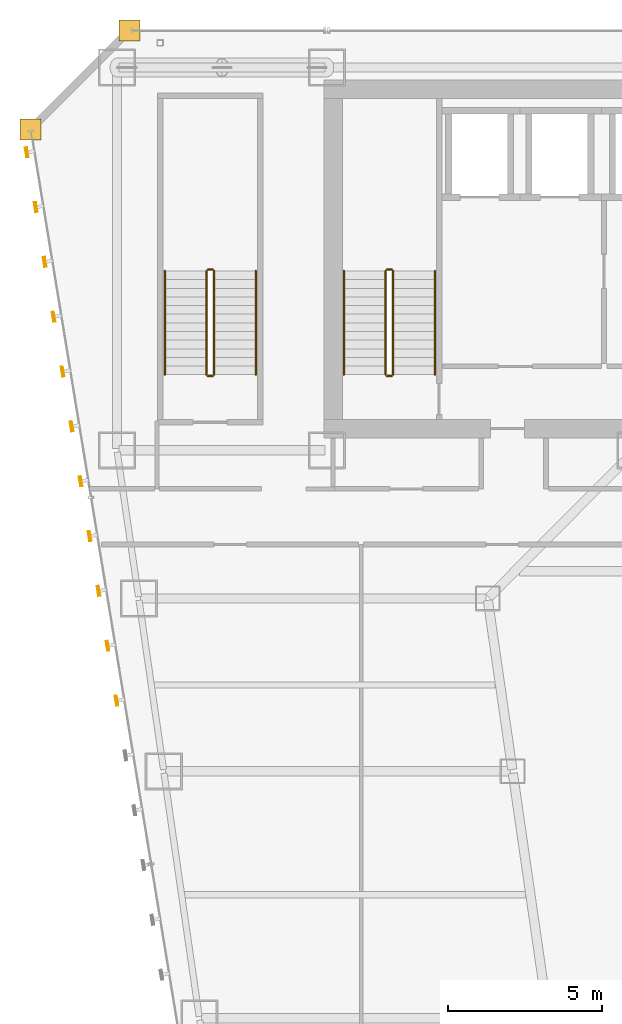
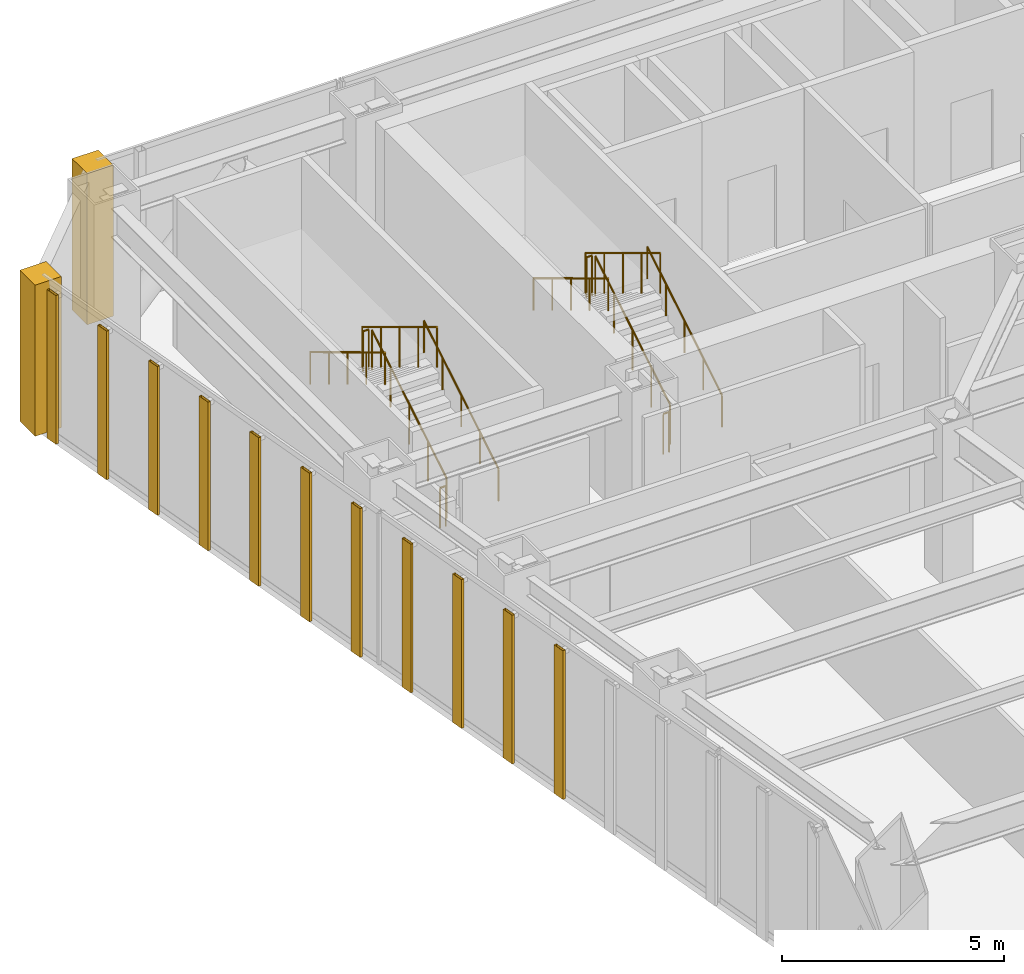
# One storey, part 46 of 47: 12 railings, 11 shading devices, 2 coverings.
"""IFC4 building model written with IfcOpenShell, lengths in metres."""

from ifc_helpers import new_model, si_unit, direction, frame, origin, origin_2d, place, context, subcontext, project, spatial, polyline, hollow_rectangle, circle, outline, extrude, material, layer, layer_set, material_profile, profile_set, type_object, element, save


model = new_model("IFC4")

# Units and contexts
model_context = context("Model", 3, precision=1e-05, world=origin(), true_north=direction((0.0, 1.0)))
body_context = subcontext(model_context, "Body", "Model", "MODEL_VIEW")
ifc_project = project(units=[si_unit("LENGTHUNIT", "METRE"), si_unit("AREAUNIT", "SQUARE_METRE"), si_unit("VOLUMEUNIT", "CUBIC_METRE"), si_unit("PLANEANGLEUNIT", "RADIAN"), si_unit("MASSUNIT", "GRAM", prefix="KILO")], contexts=[model_context])

# Site, building, storey
site_placement = place(None, origin())
site = spatial("IfcSite", under=ifc_project, at=site_placement, CompositionType="ELEMENT")
building_placement = place(site_placement, origin())
building = spatial("IfcBuilding", under=site, at=building_placement, Name="Saevonmaru Cultural Tower", CompositionType="ELEMENT")
storey_placement = place(building_placement, frame((0.0, 0.0, 60.39990234375)))
storey = spatial("IfcBuildingStorey", under=building, at=storey_placement, Name="L12", CompositionType="ELEMENT", Elevation=60.39990234375)

# Coverings
ifc_material_1 = material(Name="Satin Bronze Anodised Aluminium", Category="aluminium")
ifc_layer = layer(ifc_material_1, 0.679931640625, Name="Satin Bronze Anodised Aluminium")
ifc_layer_set = layer_set([ifc_layer], Name="Satin Bronze Anodised Aluminium")
covering_type = type_object("IfcCoveringType", Name="CV-CORNER-CLAD", PredefinedType="CLADDING", material=ifc_layer_set)
covering_1_placement = place(storey_placement, origin())
element("IfcCovering", 1, at=covering_1_placement, inside=storey, type_object=covering_type, Name="L12 Tower Bronze Corner Cladding Pier 11", PredefinedType="CLADDING", context=body_context, shape_type="SweptSolid", body=[
    extrude(outline(polyline([(6.860107421875, 55.659912109375), (7.5400390625, 55.659912109375), (7.5400390625, 56.340087890625), (6.860107421875, 56.340087890625), (6.860107421875, 55.659912109375)])), origin(), (0.0, 0.0, 1.0), 4.150146484375),
])
covering_2_placement = place(storey_placement, origin())
element("IfcCovering", 2, at=covering_2_placement, inside=storey, type_object=covering_type, Name="L12 Tower Bronze Corner Cladding Pier 12", PredefinedType="CLADDING", context=body_context, shape_type="SweptSolid", body=[
    extrude(outline(polyline([(3.659912109375, 52.4599609375), (4.340087890625, 52.4599609375), (4.340087890625, 53.139892578125), (3.659912109375, 53.139892578125), (3.659912109375, 52.4599609375)])), origin(), (0.0, 0.0, 1.0), 4.150146484375),
])

# Railings
ifc_material_2 = material(Name="Architectural Painted Steel", Category="steel")
railing_type_1 = type_object("IfcRailingType", Name="RL-STAIR-GUARD", PredefinedType="GUARDRAIL", material=ifc_material_2)
railing_1_placement = place(storey_placement, frame((15.75, 44.85009765625, 0.16943359375)))
element("IfcRailing", 3, at=railing_1_placement, inside=storey, type_object=railing_type_1, Name="L12 ST-1 stair guard 1", PredefinedType="GUARDRAIL", context=body_context, shape_type="SweptSolid", body=[
    extrude(circle(Radius=0.02392578125, at=origin_2d()), frame((0.0, 0.0, 1.09619140625), z_axis=(0.0, 0.855820338506, 0.51727318527), x_axis=(-1.0, 0.0, 0.0)), (0.0, 0.0, 1.0), 3.92578125),
    extrude(circle(Radius=0.02099609375, at=origin_2d()), origin(), (0.0, 0.0, 1.0), 1.072021484375),
    extrude(circle(Radius=0.02099609375, at=origin_2d()), frame((0.0, 0.83984375, 0.5078125)), (0.0, 0.0, 1.0), 1.072021484375),
    extrude(circle(Radius=0.02099609375, at=origin_2d()), frame((0.0, 1.679931640625, 1.015380859375)), (0.0, 0.0, 1.0), 1.072021484375),
    extrude(circle(Radius=0.02099609375, at=origin_2d()), frame((0.0, 2.52001953125, 1.52294921875)), (0.0, 0.0, 1.0), 1.072021484375),
    extrude(circle(Radius=0.02099609375, at=origin_2d()), frame((0.0, 3.35986328125, 2.03076171875)), (0.0, 0.0, 1.0), 1.072021484375),
])
railing_2_placement = place(storey_placement, frame((15.699951171875, 48.260009765625, 2.2001953125)))
element("IfcRailing", 4, at=railing_2_placement, inside=storey, type_object=railing_type_1, Name="L12 ST-1 stair guard 2", PredefinedType="GUARDRAIL", context=body_context, shape_type="SweptSolid", body=[
    extrude(circle(Radius=0.02392578125, at=origin_2d()), frame((0.0, 0.0, 1.09619140625), z_axis=(-1.0, 0.0, 0.0), x_axis=(0.0, -1.0, 0.0)), (0.0, 0.0, 1.0), 0.14990234375),
    extrude(circle(Radius=0.02099609375, at=origin_2d()), origin(), (0.0, 0.0, 1.0), 1.072021484375),
    extrude(circle(Radius=0.02099609375, at=origin_2d()), frame((-0.14990234375, 0.0, 0.0)), (0.0, 0.0, 1.0), 1.072021484375),
])
railing_3_placement = place(storey_placement, frame((15.5, 48.2099609375, 2.369384765625)))
element("IfcRailing", 5, at=railing_3_placement, inside=storey, type_object=railing_type_1, Name="L12 ST-1 stair guard 3", PredefinedType="GUARDRAIL", context=body_context, shape_type="SweptSolid", body=[
    extrude(circle(Radius=0.02392578125, at=origin_2d()), frame((0.0, 0.0, 1.09619140625), z_axis=(0.0, -0.855820338506, 0.51727318527), x_axis=(1.0, 0.0, 0.0)), (0.0, 0.0, 1.0), 3.92578125),
    extrude(circle(Radius=0.02099609375, at=origin_2d()), origin(), (0.0, 0.0, 1.0), 1.072021484375),
    extrude(circle(Radius=0.02099609375, at=origin_2d()), frame((0.0, -0.83984375, 0.5078125)), (0.0, 0.0, 1.0), 1.072021484375),
    extrude(circle(Radius=0.02099609375, at=origin_2d()), frame((0.0, -1.679931640625, 1.015380859375)), (0.0, 0.0, 1.0), 1.072021484375),
    extrude(circle(Radius=0.02099609375, at=origin_2d()), frame((0.0, -2.52001953125, 1.52294921875)), (0.0, 0.0, 1.0), 1.072021484375),
    extrude(circle(Radius=0.02099609375, at=origin_2d()), frame((0.0, -3.35986328125, 2.03076171875)), (0.0, 0.0, 1.0), 1.072021484375),
])
railing_4_placement = place(storey_placement, frame((15.699951171875, 44.800048828125, 0.0)))
element("IfcRailing", 6, at=railing_4_placement, inside=storey, type_object=railing_type_1, Name="L12 ST-1 stair guard 4", PredefinedType="GUARDRAIL", context=body_context, shape_type="SweptSolid", body=[
    extrude(circle(Radius=0.02392578125, at=origin_2d()), frame((0.0, 0.0, 1.09619140625), z_axis=(-1.0, 0.0, 0.0), x_axis=(0.0, -1.0, 0.0)), (0.0, 0.0, 1.0), 0.14990234375),
    extrude(circle(Radius=0.02099609375, at=origin_2d()), origin(), (0.0, 0.0, 1.0), 1.072021484375),
    extrude(circle(Radius=0.02099609375, at=origin_2d()), frame((-0.14990234375, 0.0, 0.0)), (0.0, 0.0, 1.0), 1.072021484375),
])
railing_5_placement = place(storey_placement, frame((9.949951171875, 44.85009765625, 0.16943359375)))
element("IfcRailing", 7, at=railing_5_placement, inside=storey, type_object=railing_type_1, Name="L12 ST-3 stair guard 1", PredefinedType="GUARDRAIL", context=body_context, shape_type="SweptSolid", body=[
    extrude(circle(Radius=0.02392578125, at=origin_2d()), frame((0.0, 0.0, 1.09619140625), z_axis=(0.0, 0.855820338506, 0.51727318527), x_axis=(-1.0, 0.0, 0.0)), (0.0, 0.0, 1.0), 3.92578125),
    extrude(circle(Radius=0.02099609375, at=origin_2d()), origin(), (0.0, 0.0, 1.0), 1.072021484375),
    extrude(circle(Radius=0.02099609375, at=origin_2d()), frame((0.0, 0.83984375, 0.5078125)), (0.0, 0.0, 1.0), 1.072021484375),
    extrude(circle(Radius=0.02099609375, at=origin_2d()), frame((0.0, 1.679931640625, 1.015380859375)), (0.0, 0.0, 1.0), 1.072021484375),
    extrude(circle(Radius=0.02099609375, at=origin_2d()), frame((0.0, 2.52001953125, 1.52294921875)), (0.0, 0.0, 1.0), 1.072021484375),
    extrude(circle(Radius=0.02099609375, at=origin_2d()), frame((0.0, 3.35986328125, 2.03076171875)), (0.0, 0.0, 1.0), 1.072021484375),
])
railing_6_placement = place(storey_placement, frame((9.89990234375, 48.260009765625, 2.2001953125)))
element("IfcRailing", 8, at=railing_6_placement, inside=storey, type_object=railing_type_1, Name="L12 ST-3 stair guard 2", PredefinedType="GUARDRAIL", context=body_context, shape_type="SweptSolid", body=[
    extrude(circle(Radius=0.02392578125, at=origin_2d()), frame((0.0, 0.0, 1.09619140625), z_axis=(-1.0, 0.0, 0.0), x_axis=(0.0, -1.0, 0.0)), (0.0, 0.0, 1.0), 0.14990234375),
    extrude(circle(Radius=0.02099609375, at=origin_2d()), origin(), (0.0, 0.0, 1.0), 1.072021484375),
    extrude(circle(Radius=0.02099609375, at=origin_2d()), frame((-0.14990234375, 0.0, 0.0)), (0.0, 0.0, 1.0), 1.072021484375),
])
railing_7_placement = place(storey_placement, frame((9.699951171875, 48.2099609375, 2.369384765625)))
element("IfcRailing", 9, at=railing_7_placement, inside=storey, type_object=railing_type_1, Name="L12 ST-3 stair guard 3", PredefinedType="GUARDRAIL", context=body_context, shape_type="SweptSolid", body=[
    extrude(circle(Radius=0.02392578125, at=origin_2d()), frame((0.0, 0.0, 1.09619140625), z_axis=(0.0, -0.855820338506, 0.51727318527), x_axis=(1.0, 0.0, 0.0)), (0.0, 0.0, 1.0), 3.92578125),
    extrude(circle(Radius=0.02099609375, at=origin_2d()), origin(), (0.0, 0.0, 1.0), 1.072021484375),
    extrude(circle(Radius=0.02099609375, at=origin_2d()), frame((0.0, -0.83984375, 0.5078125)), (0.0, 0.0, 1.0), 1.072021484375),
    extrude(circle(Radius=0.02099609375, at=origin_2d()), frame((0.0, -1.679931640625, 1.015380859375)), (0.0, 0.0, 1.0), 1.072021484375),
    extrude(circle(Radius=0.02099609375, at=origin_2d()), frame((0.0, -2.52001953125, 1.52294921875)), (0.0, 0.0, 1.0), 1.072021484375),
    extrude(circle(Radius=0.02099609375, at=origin_2d()), frame((0.0, -3.35986328125, 2.03076171875)), (0.0, 0.0, 1.0), 1.072021484375),
])
railing_8_placement = place(storey_placement, frame((9.89990234375, 44.800048828125, 0.0)))
element("IfcRailing", 10, at=railing_8_placement, inside=storey, type_object=railing_type_1, Name="L12 ST-3 stair guard 4", PredefinedType="GUARDRAIL", context=body_context, shape_type="SweptSolid", body=[
    extrude(circle(Radius=0.02392578125, at=origin_2d()), frame((0.0, 0.0, 1.09619140625), z_axis=(-1.0, 0.0, 0.0), x_axis=(0.0, -1.0, 0.0)), (0.0, 0.0, 1.0), 0.14990234375),
    extrude(circle(Radius=0.02099609375, at=origin_2d()), origin(), (0.0, 0.0, 1.0), 1.072021484375),
    extrude(circle(Radius=0.02099609375, at=origin_2d()), frame((-0.14990234375, 0.0, 0.0)), (0.0, 0.0, 1.0), 1.072021484375),
])
railing_type_2 = type_object("IfcRailingType", Name="RL-STAIR-HANDRAIL", PredefinedType="HANDRAIL", material=ifc_material_1)
railing_9_placement = place(storey_placement, frame((17.10009765625, 44.85009765625, 0.16943359375)))
element("IfcRailing", 11, at=railing_9_placement, inside=storey, type_object=railing_type_2, Name="L12 ST-1 stair handrail 1", PredefinedType="HANDRAIL", context=body_context, shape_type="SweptSolid", body=[
    extrude(circle(Radius=0.02392578125, at=origin_2d()), frame((0.0, 0.0, 0.8759765625), z_axis=(0.0, 0.855820338506, 0.51727318527), x_axis=(-1.0, 0.0, 0.0)), (0.0, 0.0, 1.0), 3.92578125),
    extrude(circle(Radius=0.02099609375, at=origin_2d()), origin(), (0.0, 0.0, 1.0), 0.851806640625),
    extrude(circle(Radius=0.02099609375, at=origin_2d()), frame((0.0, 0.83984375, 0.5078125)), (0.0, 0.0, 1.0), 0.851806640625),
    extrude(circle(Radius=0.02099609375, at=origin_2d()), frame((0.0, 1.679931640625, 1.015380859375)), (0.0, 0.0, 1.0), 0.851806640625),
    extrude(circle(Radius=0.02099609375, at=origin_2d()), frame((0.0, 2.52001953125, 1.52294921875)), (0.0, 0.0, 1.0), 0.851806640625),
    extrude(circle(Radius=0.02099609375, at=origin_2d()), frame((0.0, 3.35986328125, 2.03076171875)), (0.0, 0.0, 1.0), 0.851806640625),
])
railing_10_placement = place(storey_placement, frame((14.14990234375, 48.2099609375, 2.369384765625)))
element("IfcRailing", 12, at=railing_10_placement, inside=storey, type_object=railing_type_2, Name="L12 ST-1 stair handrail 2", PredefinedType="HANDRAIL", context=body_context, shape_type="SweptSolid", body=[
    extrude(circle(Radius=0.02392578125, at=origin_2d()), frame((0.0, 0.0, 0.8759765625), z_axis=(0.0, -0.855820338506, 0.51727318527), x_axis=(1.0, 0.0, 0.0)), (0.0, 0.0, 1.0), 3.92578125),
    extrude(circle(Radius=0.02099609375, at=origin_2d()), origin(), (0.0, 0.0, 1.0), 0.851806640625),
    extrude(circle(Radius=0.02099609375, at=origin_2d()), frame((0.0, -0.83984375, 0.5078125)), (0.0, 0.0, 1.0), 0.851806640625),
    extrude(circle(Radius=0.02099609375, at=origin_2d()), frame((0.0, -1.679931640625, 1.015380859375)), (0.0, 0.0, 1.0), 0.851806640625),
    extrude(circle(Radius=0.02099609375, at=origin_2d()), frame((0.0, -2.52001953125, 1.52294921875)), (0.0, 0.0, 1.0), 0.851806640625),
    extrude(circle(Radius=0.02099609375, at=origin_2d()), frame((0.0, -3.35986328125, 2.03076171875)), (0.0, 0.0, 1.0), 0.851806640625),
])
railing_11_placement = place(storey_placement, frame((11.300048828125, 44.85009765625, 0.16943359375)))
element("IfcRailing", 13, at=railing_11_placement, inside=storey, type_object=railing_type_2, Name="L12 ST-3 stair handrail 1", PredefinedType="HANDRAIL", context=body_context, shape_type="SweptSolid", body=[
    extrude(circle(Radius=0.02392578125, at=origin_2d()), frame((0.0, 0.0, 0.8759765625), z_axis=(0.0, 0.855820338506, 0.51727318527), x_axis=(-1.0, 0.0, 0.0)), (0.0, 0.0, 1.0), 3.92578125),
    extrude(circle(Radius=0.02099609375, at=origin_2d()), origin(), (0.0, 0.0, 1.0), 0.851806640625),
    extrude(circle(Radius=0.02099609375, at=origin_2d()), frame((0.0, 0.83984375, 0.5078125)), (0.0, 0.0, 1.0), 0.851806640625),
    extrude(circle(Radius=0.02099609375, at=origin_2d()), frame((0.0, 1.679931640625, 1.015380859375)), (0.0, 0.0, 1.0), 0.851806640625),
    extrude(circle(Radius=0.02099609375, at=origin_2d()), frame((0.0, 2.52001953125, 1.52294921875)), (0.0, 0.0, 1.0), 0.851806640625),
    extrude(circle(Radius=0.02099609375, at=origin_2d()), frame((0.0, 3.35986328125, 2.03076171875)), (0.0, 0.0, 1.0), 0.851806640625),
])
railing_12_placement = place(storey_placement, frame((8.35009765625, 48.2099609375, 2.369384765625)))
element("IfcRailing", 14, at=railing_12_placement, inside=storey, type_object=railing_type_2, Name="L12 ST-3 stair handrail 2", PredefinedType="HANDRAIL", context=body_context, shape_type="SweptSolid", body=[
    extrude(circle(Radius=0.02392578125, at=origin_2d()), frame((0.0, 0.0, 0.8759765625), z_axis=(0.0, -0.855820338506, 0.51727318527), x_axis=(1.0, 0.0, 0.0)), (0.0, 0.0, 1.0), 3.92578125),
    extrude(circle(Radius=0.02099609375, at=origin_2d()), origin(), (0.0, 0.0, 1.0), 0.851806640625),
    extrude(circle(Radius=0.02099609375, at=origin_2d()), frame((0.0, -0.83984375, 0.5078125)), (0.0, 0.0, 1.0), 0.851806640625),
    extrude(circle(Radius=0.02099609375, at=origin_2d()), frame((0.0, -1.679931640625, 1.015380859375)), (0.0, 0.0, 1.0), 0.851806640625),
    extrude(circle(Radius=0.02099609375, at=origin_2d()), frame((0.0, -2.52001953125, 1.52294921875)), (0.0, 0.0, 1.0), 0.851806640625),
    extrude(circle(Radius=0.02099609375, at=origin_2d()), frame((0.0, -3.35986328125, 2.03076171875)), (0.0, 0.0, 1.0), 0.851806640625),
])

# Shading devices
ifc_material_profile = material_profile(ifc_material_1, hollow_rectangle(XDim=0.070068359375, YDim=0.320068359375, WallThickness=0.0048828125, at=origin_2d()), Name="FIN-320x70")
ifc_profile_set = profile_set([ifc_material_profile], Name="Satin Bronze Anodised Aluminium")
shading_device_type = type_object("IfcShadingDeviceType", Name="SHD-FIN-320", PredefinedType="JALOUSIE", material=ifc_profile_set)
for number, where, z_axis, x_axis, name in (
    (15, (3.879150390625, 52.05322265625, 0.050048828125), (0.0, 0.0, 1.0), (-0.986827496189, -0.161776057456, 0.0), "L12 Art Deco Sawtooth Bronze Fin E12-01"),
    (16, (4.170166015625, 50.27685546875, 0.050048828125), (0.0, 0.0, 1.0), (-0.986827496189, -0.161776057456, 0.0), "L12 Art Deco Sawtooth Bronze Fin E12-02"),
    (17, (4.461181640625, 48.50048828125, 0.050048828125), (0.0, 0.0, 1.0), (-0.986827496189, -0.161776057456, 0.0), "L12 Art Deco Sawtooth Bronze Fin E12-03"),
    (18, (4.75244140625, 46.724365234375, 0.050048828125), (0.0, 0.0, 1.0), (-0.986827496189, -0.161776057456, 0.0), "L12 Art Deco Sawtooth Bronze Fin E12-04"),
    (19, (5.04345703125, 44.947998046875, 0.050048828125), (0.0, 0.0, 1.0), (-0.986827496189, -0.161776057456, 0.0), "L12 Art Deco Sawtooth Bronze Fin E12-05"),
    (20, (5.334716796875, 43.171630859375, 0.050048828125), (0.0, 0.0, 1.0), (-0.986827496189, -0.161776057456, 0.0), "L12 Art Deco Sawtooth Bronze Fin E12-06"),
    (21, (5.62548828125, 41.3955078125, 0.050048828125), (0.0, 0.0, 1.0), (-0.986827496189, -0.161776057456, 0.0), "L12 Art Deco Sawtooth Bronze Fin E12-07"),
    (22, (5.916748046875, 39.618896484375, 0.050048828125), (0.0, 0.0, 1.0), (-0.986827496189, -0.161776057456, 0.0), "L12 Art Deco Sawtooth Bronze Fin E12-08"),
    (23, (6.207763671875, 37.8427734375, 0.050048828125), (0.0, 0.0, 1.0), (-0.986827496189, -0.161776057456, 0.0), "L12 Art Deco Sawtooth Bronze Fin E12-09"),
    (24, (6.498779296875, 36.06640625, 0.050048828125), (0.0, 0.0, 1.0), (-0.986827496189, -0.161776057456, 0.0), "L12 Art Deco Sawtooth Bronze Fin E12-10"),
    (25, (6.789794921875, 34.2900390625, 0.050048828125), (0.0, 0.0, 1.0), (-0.986827496189, -0.161776057456, 0.0), "L12 Art Deco Sawtooth Bronze Fin E12-11"),
):
    element("IfcShadingDevice", number, at=place(storey_placement, frame(where, z_axis=z_axis, x_axis=x_axis)), inside=storey, type_object=shading_device_type, Name=name, PredefinedType="JALOUSIE", context=body_context, shape_type="SweptSolid", body=[
        extrude(hollow_rectangle(XDim=0.070068359375, YDim=0.320068359375, WallThickness=0.0048828125, at=origin_2d()), origin(), (0.0, 0.0, 1.0), 4.080078125),
    ])

save(model, "model.ifc")
